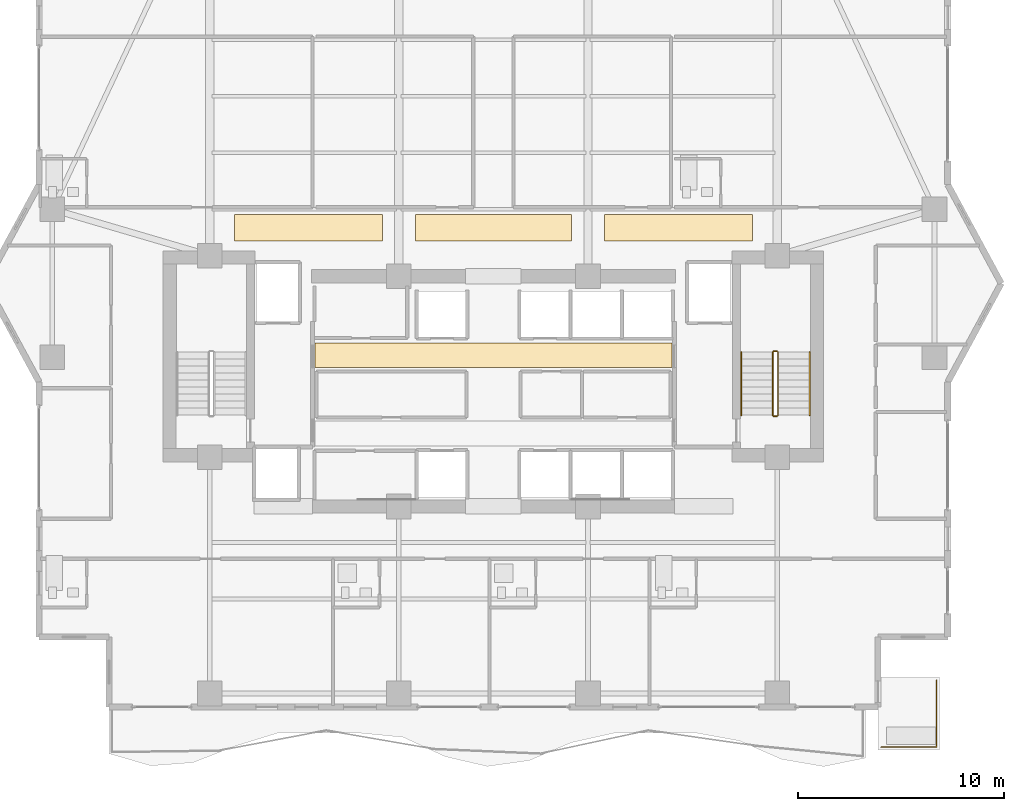
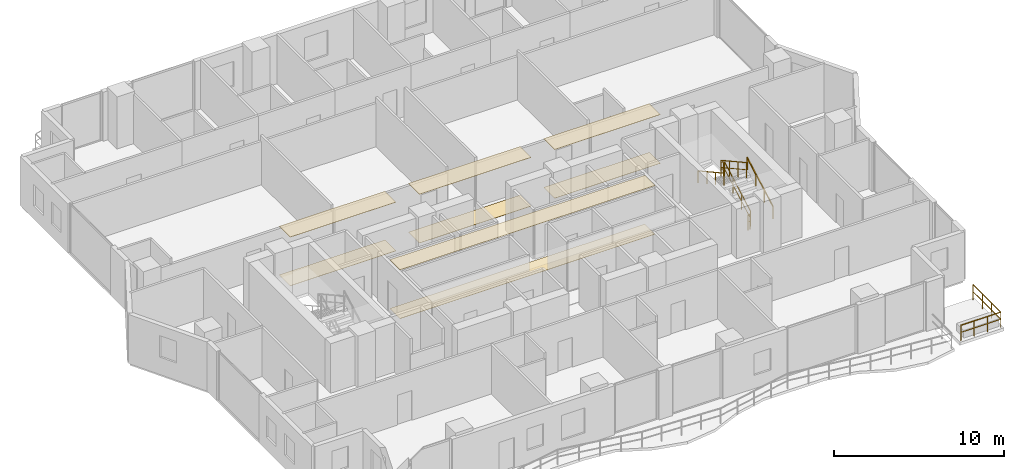
# One storey, part 31 of 33: 8 coverings, 7 railings.
"""IFC4 building model written with IfcOpenShell, lengths in metres."""

import ifcopenshell
import ifcopenshell.guid

model = None  # the IFC model being written
_history = None  # IfcOwnerHistory: only IFC2X3 demands one
_inside = {}  # id of a spatial element -> (the spatial element, [elements in it])
_under = {}  # id of a project, library or spatial element -> (it, [spatial elements below it])
_declared = {}  # id of a project -> (the project, [libraries it declares])
_typed = {}  # id of a type object -> (the type object, [elements of that type])
_made_of = {}  # id of a material, layer set ... -> (it, [elements and type objects made of it])


def new_model(schema):
    """Start an empty IFC model of exactly this schema.

    Asked for "IFC4X3", IfcOpenShell would pick the latest addendum, in which some entities
    have other attributes; the version numbers below select the first issue.
    IFC2X3 requires an IfcOwnerHistory on every rooted entity: one is made here for all.
    """
    global model, _history
    if schema == "IFC4X3":
        model = ifcopenshell.file(schema_version=(4, 3, 0, 0))
    else:
        model = ifcopenshell.file(schema=schema)
    _inside.clear()
    _under.clear()
    _declared.clear()
    _typed.clear()
    _made_of.clear()
    _history = None
    if model.schema == "IFC2X3":
        org = make("IfcOrganization", Name="unknown")
        user = make(
            "IfcPersonAndOrganization",
            ThePerson=make("IfcPerson", FamilyName="unknown"),
            TheOrganization=org,
        )
        app = make(
            "IfcApplication",
            ApplicationDeveloper=org,
            Version="unknown",
            ApplicationFullName="unknown",
            ApplicationIdentifier="unknown",
        )
        _history = make(
            "IfcOwnerHistory",
            OwningUser=user,
            OwningApplication=app,
            ChangeAction="ADDED",
            CreationDate=0,
        )
    return model


def make(cls, **values):
    """One entity of the class cls with the attributes given. An attribute that is None is left unset."""
    return model.create_entity(
        cls, **{name: value for name, value in values.items() if value is not None}
    )


def rooted(cls, **values):
    """An entity with a GlobalId (a new one), such as an element, a storey or a relation."""
    return make(cls, GlobalId=ifcopenshell.guid.new(), OwnerHistory=_history, **values)


def si_unit(unit_type, name, prefix=None):
    """IfcSIUnit, for example si_unit("LENGTHUNIT", "METRE", prefix="MILLI")."""
    return make("IfcSIUnit", UnitType=unit_type, Prefix=prefix, Name=name)


def assignment(units):
    """IfcUnitAssignment: the units of a project."""
    return None if units is None else make("IfcUnitAssignment", Units=units)


def point(xyz):
    """IfcCartesianPoint."""
    return None if xyz is None else make("IfcCartesianPoint", Coordinates=xyz)


def direction(xyz):
    """IfcDirection."""
    return None if xyz is None else make("IfcDirection", DirectionRatios=xyz)


def frame(location, z_axis=None, x_axis=None):
    """IfcAxis2Placement3D, a coordinate frame: its origin and axes. An axis left out is left unset."""
    return make(
        "IfcAxis2Placement3D",
        Location=point(location),
        Axis=direction(z_axis),
        RefDirection=direction(x_axis),
    )


def frame_2d(location, x_axis=None):
    """IfcAxis2Placement2D, a coordinate frame in the plane: its origin and x axis."""
    return make(
        "IfcAxis2Placement2D", Location=point(location), RefDirection=direction(x_axis)
    )


def origin():
    """The frame at (0, 0, 0) with its axes left unset."""
    return frame((0.0, 0.0, 0.0))


def origin_2d():
    """The frame at (0, 0) in the plane with its x axis left unset."""
    return frame_2d((0.0, 0.0))


def place(relative_to, where):
    """IfcLocalPlacement: puts the frame where relative to a parent placement (None: the world)."""
    return make(
        "IfcLocalPlacement", PlacementRelTo=relative_to, RelativePlacement=where
    )


def context(
    kind, dimensions, precision=None, world=None, true_north=None, identifier=None
):
    """IfcGeometricRepresentationContext, for example the 3D "Model" context."""
    return make(
        "IfcGeometricRepresentationContext",
        ContextIdentifier=identifier,
        ContextType=kind,
        CoordinateSpaceDimension=dimensions,
        Precision=precision,
        WorldCoordinateSystem=world,
        TrueNorth=true_north,
    )


def subcontext(parent, identifier, kind, view, scale=None):
    """IfcGeometricRepresentationSubContext, for example "Body" below "Model"."""
    return make(
        "IfcGeometricRepresentationSubContext",
        ContextIdentifier=identifier,
        ContextType=kind,
        ParentContext=parent,
        TargetScale=scale,
        TargetView=view,
    )


def project(units=None, contexts=None):
    """IfcProject with its units and contexts."""
    return rooted(
        "IfcProject",
        Name="project",
        RepresentationContexts=contexts,
        UnitsInContext=assignment(units),
    )


def spatial(cls, under=None, at=None, **own):
    """A site, building, storey or space (cls), placed at a placement, below another one or the project."""
    s = rooted(cls, ObjectPlacement=at, **own)
    if under is not None:
        _under.setdefault(under.id(), (under, []))[1].append(s)
    return s


def polyline(points):
    """IfcPolyline through the points."""
    return make("IfcPolyline", Points=[point(p) for p in points])


def profile(cls, at=None, kind="AREA", **sizes):
    """A parametric profile (cls). Its sizes go by their IFC names, for example OverallWidth=200.0."""
    return make(cls, ProfileType=kind, Position=at, **sizes)


def rectangle(**sizes):
    """IfcRectangleProfileDef."""
    return profile("IfcRectangleProfileDef", **sizes)


def outline(outer, holes=None, kind="AREA"):
    """IfcArbitraryClosedProfileDef: a profile drawn as a closed curve; with holes, ...WithVoids."""
    if holes is None:
        return make("IfcArbitraryClosedProfileDef", ProfileType=kind, OuterCurve=outer)
    return make(
        "IfcArbitraryProfileDefWithVoids",
        ProfileType=kind,
        OuterCurve=outer,
        InnerCurves=holes,
    )


def extrude(swept, where, along, depth):
    """IfcExtrudedAreaSolid: the profile swept, set in the frame where, extruded along a direction by depth."""
    return make(
        "IfcExtrudedAreaSolid",
        SweptArea=swept,
        Position=where,
        ExtrudedDirection=direction(along),
        Depth=depth,
    )


def shape(context_of_items, identifier, shape_type, items):
    """IfcShapeRepresentation: the items that make up one representation, for example the "Body"."""
    return make(
        "IfcShapeRepresentation",
        ContextOfItems=context_of_items,
        RepresentationIdentifier=identifier,
        RepresentationType=shape_type,
        Items=items,
    )


def material(Name=None, Category=None):
    """IfcMaterial."""
    return make("IfcMaterial", Name=Name, Category=Category)


def layer(
    of_material, thickness, ventilated=None, Name=None, Category=None, Priority=None
):
    """IfcMaterialLayer: one layer of a wall or slab, of a material (None: an air gap)."""
    return make(
        "IfcMaterialLayer",
        Material=of_material,
        LayerThickness=thickness,
        IsVentilated=ventilated,
        Name=Name,
        Category=Category,
        Priority=Priority,
    )


def layer_set(layers, Name=None):
    """IfcMaterialLayerSet."""
    return make("IfcMaterialLayerSet", MaterialLayers=layers, LayerSetName=Name)


def made_of(thing, what):
    """Note that an element or type object is made of a material, layer set ...; save() writes the relation."""
    if what is not None:
        _made_of.setdefault(what.id(), (what, []))[1].append(thing)
    return thing


def type_object(cls, material=None, **own):
    """A type object (cls), such as IfcWallType, which elements share."""
    return made_of(rooted(cls, **own), material)


def element(
    cls,
    number,
    at=None,
    inside=None,
    cuts=None,
    type_object=None,
    material=None,
    context=None,
    identifier="Body",
    shape_type=None,
    held_by="IfcProductDefinitionShape",
    body=None,
    shapes=None,
    **own,
):
    """One element of the class cls, such as IfcWall. Its Tag is "e" and its number.

    at: its placement. inside: the storey or other place that contains it. cuts: it is an
    opening in that element (IfcRelVoidsElement). A single representation is given by context,
    identifier, shape_type and body (its items); several are given by shapes. held_by: the class
    of the entity that holds the representations. save() writes the other relations.
    """
    e = rooted(cls, Tag="e%d" % number, ObjectPlacement=at, **own)
    if body is not None:
        shapes = [shape(context, identifier, shape_type, body)]
    if shapes is not None:
        e.Representation = make(held_by, Representations=shapes)
    if inside is not None:
        _inside.setdefault(inside.id(), (inside, []))[1].append(e)
    if cuts is not None:
        rooted(
            "IfcRelVoidsElement", RelatingBuildingElement=cuts, RelatedOpeningElement=e
        )
    if type_object is not None:
        _typed.setdefault(type_object.id(), (type_object, []))[1].append(e)
    return made_of(e, material)


def aggregate(whole, parts):
    """IfcRelAggregates: a whole, such as a stair, and the parts it consists of."""
    return rooted("IfcRelAggregates", RelatingObject=whole, RelatedObjects=parts)


def save(model, path):
    """Write the relations noted so far, then the file.

    IfcRelAggregates (storeys below a building ...), IfcRelContainedInSpatialStructure (elements
    in a storey), IfcRelDefinesByType, IfcRelAssociatesMaterial and IfcRelDeclares: one each for
    every whole, place, type object, material and project.
    """
    for whole, parts in _under.values():
        aggregate(whole, parts)
    for where, things in _inside.values():
        rooted(
            "IfcRelContainedInSpatialStructure",
            RelatedElements=things,
            RelatingStructure=where,
        )
    for kind, things in _typed.values():
        rooted("IfcRelDefinesByType", RelatedObjects=things, RelatingType=kind)
    for what, things in _made_of.values():
        rooted("IfcRelAssociatesMaterial", RelatedObjects=things, RelatingMaterial=what)
    for by, libraries in _declared.values():
        rooted("IfcRelDeclares", RelatingContext=by, RelatedDefinitions=libraries)
    model.write(path)


model = new_model("IFC4")

# Units and contexts
model_context = context("Model", 3, precision=1e-05, world=origin(), true_north=direction((0.0, 1.0)))
body_context = subcontext(model_context, "Body", "Model", "MODEL_VIEW")
ifc_project = project(units=[si_unit("LENGTHUNIT", "METRE"), si_unit("AREAUNIT", "SQUARE_METRE"), si_unit("VOLUMEUNIT", "CUBIC_METRE"), si_unit("PLANEANGLEUNIT", "RADIAN"), si_unit("MASSUNIT", "GRAM", prefix="KILO")], contexts=[model_context])

# Site, building, storey
site_placement = place(None, origin())
site = spatial("IfcSite", under=ifc_project, at=site_placement, CompositionType="ELEMENT")
building_placement = place(site_placement, origin())
building = spatial("IfcBuilding", under=site, at=building_placement, Name="Zuhayl Quay Hotel", CompositionType="ELEMENT")
storey_placement = place(building_placement, frame((0.0, 0.0, 199.89990234375)))
storey = spatial("IfcBuildingStorey", under=building, at=storey_placement, Name="L50", CompositionType="ELEMENT", Elevation=199.89990234375)

# Coverings
ifc_material_1 = material(Name="Acoustic Mineral-Fibre Gypsum Board")
ifc_layer_1 = layer(ifc_material_1, 0.02490234375, Name="Acoustic Mineral-Fibre Gypsum Board")
ifc_layer_set_1 = layer_set([ifc_layer_1], Name="Acoustic Mineral-Fibre Gypsum Board")
covering_type_1 = type_object("IfcCoveringType", Name="CV_CEIL_ACOUSTIC", PredefinedType="CEILING", material=ifc_layer_set_1)
covering_1_placement = place(storey_placement, frame((0.0, 0.0, 3.505126953125)))
element("IfcCovering", 1, at=covering_1_placement, inside=storey, type_object=covering_type_1, Name="L50 Suspended Acoustic Lobby Ceiling N", PredefinedType="CEILING", context=body_context, shape_type="SweptSolid", body=[
    extrude(outline(polyline([(-8.679931640625, 8.89990234375), (8.679931640625, 8.89990234375), (8.679931640625, 10.10009765625), (-8.679931640625, 10.10009765625), (-8.679931640625, 8.89990234375)])), origin(), (0.0, 0.0, 1.0), 0.02490234375),
])
covering_2_placement = place(storey_placement, frame((0.0, 0.0, 3.505126953125)))
element("IfcCovering", 2, at=covering_2_placement, inside=storey, type_object=covering_type_1, Name="L50 Guest Corridor Acoustic Ceiling CW", PredefinedType="CEILING", context=body_context, shape_type="SweptSolid", body=[
    extrude(outline(polyline([(-12.60009765625, 15.050048828125), (-5.39990234375, 15.050048828125), (-5.39990234375, 16.35009765625), (-12.60009765625, 16.35009765625), (-12.60009765625, 15.050048828125)])), origin(), (0.0, 0.0, 1.0), 0.02490234375),
])
covering_3_placement = place(storey_placement, frame((0.0, 0.0, 3.505126953125)))
element("IfcCovering", 3, at=covering_3_placement, inside=storey, type_object=covering_type_1, Name="L50 Guest Corridor Acoustic Ceiling CC", PredefinedType="CEILING", context=body_context, shape_type="SweptSolid", body=[
    extrude(outline(polyline([(-3.800048828125, 15.050048828125), (3.800048828125, 15.050048828125), (3.800048828125, 16.35009765625), (-3.800048828125, 16.35009765625), (-3.800048828125, 15.050048828125)])), origin(), (0.0, 0.0, 1.0), 0.02490234375),
])
covering_4_placement = place(storey_placement, frame((0.0, 0.0, 3.505126953125)))
element("IfcCovering", 4, at=covering_4_placement, inside=storey, type_object=covering_type_1, Name="L50 Guest Corridor Acoustic Ceiling CE", PredefinedType="CEILING", context=body_context, shape_type="SweptSolid", body=[
    extrude(outline(polyline([(5.39990234375, 15.050048828125), (12.60009765625, 15.050048828125), (12.60009765625, 16.35009765625), (5.39990234375, 16.35009765625), (5.39990234375, 15.050048828125)])), origin(), (0.0, 0.0, 1.0), 0.02490234375),
])
ifc_material_2 = material(Name="Polished Limestone Terrazzo", Category="masonry")
ifc_layer_2 = layer(ifc_material_2, 0.02001953125, Name="Polished Limestone Terrazzo", Category="masonry")
ifc_layer_set_2 = layer_set([ifc_layer_2], Name="Polished Limestone Terrazzo")
covering_type_2 = type_object("IfcCoveringType", Name="CV_FLOOR_TERRAZZO", PredefinedType="FLOORING", material=ifc_layer_set_2)
covering_5_placement = place(storey_placement, origin())
element("IfcCovering", 5, at=covering_5_placement, inside=storey, type_object=covering_type_2, Name="L50 Honed Limestone Terrazzo Lobby Flooring N", PredefinedType="FLOORING", context=body_context, shape_type="SweptSolid", body=[
    extrude(outline(polyline([(-8.679931640625, 8.89990234375), (8.679931640625, 8.89990234375), (8.679931640625, 10.10009765625), (-8.679931640625, 10.10009765625), (-8.679931640625, 8.89990234375)])), origin(), (0.0, 0.0, 1.0), 0.02001953125),
])
covering_6_placement = place(storey_placement, origin())
element("IfcCovering", 6, at=covering_6_placement, inside=storey, type_object=covering_type_2, Name="L50 Guest Corridor Terrazzo Runner CW", PredefinedType="FLOORING", context=body_context, shape_type="SweptSolid", body=[
    extrude(outline(polyline([(-12.60009765625, 15.050048828125), (-5.39990234375, 15.050048828125), (-5.39990234375, 16.35009765625), (-12.60009765625, 16.35009765625), (-12.60009765625, 15.050048828125)])), origin(), (0.0, 0.0, 1.0), 0.02001953125),
])
covering_7_placement = place(storey_placement, origin())
element("IfcCovering", 7, at=covering_7_placement, inside=storey, type_object=covering_type_2, Name="L50 Guest Corridor Terrazzo Runner CC", PredefinedType="FLOORING", context=body_context, shape_type="SweptSolid", body=[
    extrude(outline(polyline([(-3.800048828125, 15.050048828125), (3.800048828125, 15.050048828125), (3.800048828125, 16.35009765625), (-3.800048828125, 16.35009765625), (-3.800048828125, 15.050048828125)])), origin(), (0.0, 0.0, 1.0), 0.02001953125),
])
covering_8_placement = place(storey_placement, origin())
element("IfcCovering", 8, at=covering_8_placement, inside=storey, type_object=covering_type_2, Name="L50 Guest Corridor Terrazzo Runner CE", PredefinedType="FLOORING", context=body_context, shape_type="SweptSolid", body=[
    extrude(outline(polyline([(5.39990234375, 15.050048828125), (12.60009765625, 15.050048828125), (12.60009765625, 16.35009765625), (5.39990234375, 16.35009765625), (5.39990234375, 15.050048828125)])), origin(), (0.0, 0.0, 1.0), 0.02001953125),
])

# Railings
ifc_material_3 = material(Name="Anodised Aluminium and Laminated Glass", Category="aluminium")
railing_type_1 = type_object("IfcRailingType", Name="RL_EXT_BAL_1100", PredefinedType="BALUSTRADE", material=ifc_material_3)
railing_1_placement = place(storey_placement, frame((18.840087890625, -9.56005859375, 0.0)))
element("IfcRailing", 9, at=railing_1_placement, inside=storey, type_object=railing_type_1, Name="L50 Balcony and Terrace Guard GR_L50_SPIRAL_SE", PredefinedType="BALUSTRADE", context=body_context, shape_type="SweptSolid", body=[
    extrude(rectangle(XDim=0.048095703125, YDim=0.048095703125, at=origin_2d()), frame((0.0, 0.0, 1.09619140625), z_axis=(1.0, 0.0, 0.0), x_axis=(0.0, 1.0, 0.0)), (0.0, 0.0, 1.0), 2.719970703125),
    extrude(rectangle(XDim=0.0361328125, YDim=0.0361328125, at=origin_2d()), frame((0.0, 0.0, 0.58251953125), z_axis=(1.0, 0.0, 0.0), x_axis=(0.0, 1.0, 0.0)), (0.0, 0.0, 1.0), 2.719970703125),
    extrude(rectangle(XDim=0.048095703125, YDim=0.048095703125, at=origin_2d()), frame((2.719970703125, 0.0, 1.09619140625), z_axis=(0.0, 1.0, 0.0), x_axis=(-1.0, 0.0, 0.0)), (0.0, 0.0, 1.0), 3.27001953125),
    extrude(rectangle(XDim=0.0361328125, YDim=0.0361328125, at=origin_2d()), frame((2.719970703125, 0.0, 0.58251953125), z_axis=(0.0, 1.0, 0.0), x_axis=(-1.0, 0.0, 0.0)), (0.0, 0.0, 1.0), 3.27001953125),
    extrude(rectangle(XDim=0.0419921875, YDim=0.0419921875, at=origin_2d()), origin(), (0.0, 0.0, 1.0), 1.072021484375),
    extrude(rectangle(XDim=0.0419921875, YDim=0.0419921875, at=origin_2d()), frame((0.90673828125, 0.0, 0.0)), (0.0, 0.0, 1.0), 1.072021484375),
    extrude(rectangle(XDim=0.0419921875, YDim=0.0419921875, at=origin_2d()), frame((1.813232421875, 0.0, 0.0)), (0.0, 0.0, 1.0), 1.072021484375),
    extrude(rectangle(XDim=0.0419921875, YDim=0.0419921875, at=origin_2d()), frame((2.719970703125, 0.0, 0.0)), (0.0, 0.0, 1.0), 1.072021484375),
    extrude(rectangle(XDim=0.0419921875, YDim=0.0419921875, at=origin_2d()), frame((2.719970703125, 1.090087890625, 0.0)), (0.0, 0.0, 1.0), 1.072021484375),
    extrude(rectangle(XDim=0.0419921875, YDim=0.0419921875, at=origin_2d()), frame((2.719970703125, 2.179931640625, 0.0)), (0.0, 0.0, 1.0), 1.072021484375),
    extrude(rectangle(XDim=0.0419921875, YDim=0.0419921875, at=origin_2d()), frame((2.719970703125, 3.27001953125, 0.0)), (0.0, 0.0, 1.0), 1.072021484375),
])
ifc_material_4 = material(Name="Steel ASTM A992 Grade 50", Category="steel")
railing_type_2 = type_object("IfcRailingType", Name="RL_GUARD_1100", PredefinedType="GUARDRAIL", material=ifc_material_4)
railing_2_placement = place(storey_placement, frame((13.840087890625, 6.590087890625, 0.1875)))
element("IfcRailing", 10, at=railing_2_placement, inside=storey, type_object=railing_type_2, Name="L50 ST2 stair guard 1", PredefinedType="GUARDRAIL", context=body_context, shape_type="SweptSolid", body=[
    extrude(rectangle(XDim=0.048095703125, YDim=0.048095703125, at=origin_2d()), frame((0.0, 0.0, 1.09619140625), z_axis=(0.0, 0.875659195171, 0.482929574485), x_axis=(-1.0, 0.0, 0.0)), (0.0, 0.0, 1.0), 3.494384765625),
    extrude(rectangle(XDim=0.0361328125, YDim=0.0361328125, at=origin_2d()), frame((0.0, 0.0, 0.58251953125), z_axis=(0.0, 0.875659195171, 0.482929574485), x_axis=(-1.0, 0.0, 0.0)), (0.0, 0.0, 1.0), 3.494384765625),
    extrude(rectangle(XDim=0.0419921875, YDim=0.0419921875, at=origin_2d()), origin(), (0.0, 0.0, 1.0), 1.072021484375),
    extrude(rectangle(XDim=0.0419921875, YDim=0.0419921875, at=origin_2d()), frame((0.0, 1.02001953125, 0.5625)), (0.0, 0.0, 1.0), 1.072021484375),
    extrude(rectangle(XDim=0.0419921875, YDim=0.0419921875, at=origin_2d()), frame((0.0, 2.039794921875, 1.125)), (0.0, 0.0, 1.0), 1.072021484375),
    extrude(rectangle(XDim=0.0419921875, YDim=0.0419921875, at=origin_2d()), frame((0.0, 3.059814453125, 1.6875)), (0.0, 0.0, 1.0), 1.072021484375),
])
railing_3_placement = place(storey_placement, frame((13.7900390625, 9.699951171875, 1.875)))
element("IfcRailing", 11, at=railing_3_placement, inside=storey, type_object=railing_type_2, Name="L50 ST2 stair guard 2", PredefinedType="GUARDRAIL", context=body_context, shape_type="SweptSolid", body=[
    extrude(rectangle(XDim=0.048095703125, YDim=0.048095703125, at=origin_2d()), frame((0.0, 0.0, 1.09619140625), z_axis=(-1.0, 0.0, 0.0), x_axis=(0.0, -1.0, 0.0)), (0.0, 0.0, 1.0), 0.150146484375),
    extrude(rectangle(XDim=0.0361328125, YDim=0.0361328125, at=origin_2d()), frame((0.0, 0.0, 0.58251953125), z_axis=(-1.0, 0.0, 0.0), x_axis=(0.0, -1.0, 0.0)), (0.0, 0.0, 1.0), 0.150146484375),
    extrude(rectangle(XDim=0.0419921875, YDim=0.0419921875, at=origin_2d()), origin(), (0.0, 0.0, 1.0), 1.072021484375),
    extrude(rectangle(XDim=0.0419921875, YDim=0.0419921875, at=origin_2d()), frame((-0.150146484375, 0.0, 0.0)), (0.0, 0.0, 1.0), 1.072021484375),
])
railing_4_placement = place(storey_placement, frame((13.590087890625, 9.64990234375, 2.0625)))
element("IfcRailing", 12, at=railing_4_placement, inside=storey, type_object=railing_type_2, Name="L50 ST2 stair guard 3", PredefinedType="GUARDRAIL", context=body_context, shape_type="SweptSolid", body=[
    extrude(rectangle(XDim=0.048095703125, YDim=0.048095703125, at=origin_2d()), frame((0.0, 0.0, 1.09619140625), z_axis=(0.0, -0.875659195171, 0.482929574485), x_axis=(1.0, 0.0, 0.0)), (0.0, 0.0, 1.0), 3.494384765625),
    extrude(rectangle(XDim=0.0361328125, YDim=0.0361328125, at=origin_2d()), frame((0.0, 0.0, 0.58251953125), z_axis=(0.0, -0.875659195171, 0.482929574485), x_axis=(1.0, 0.0, 0.0)), (0.0, 0.0, 1.0), 3.494384765625),
    extrude(rectangle(XDim=0.0419921875, YDim=0.0419921875, at=origin_2d()), origin(), (0.0, 0.0, 1.0), 1.072021484375),
    extrude(rectangle(XDim=0.0419921875, YDim=0.0419921875, at=origin_2d()), frame((0.0, -1.02001953125, 0.5625)), (0.0, 0.0, 1.0), 1.072021484375),
    extrude(rectangle(XDim=0.0419921875, YDim=0.0419921875, at=origin_2d()), frame((0.0, -2.039794921875, 1.125)), (0.0, 0.0, 1.0), 1.072021484375),
    extrude(rectangle(XDim=0.0419921875, YDim=0.0419921875, at=origin_2d()), frame((0.0, -3.059814453125, 1.6875)), (0.0, 0.0, 1.0), 1.072021484375),
])
railing_5_placement = place(storey_placement, frame((13.7900390625, 6.5400390625, 0.0)))
element("IfcRailing", 13, at=railing_5_placement, inside=storey, type_object=railing_type_2, Name="L50 ST2 stair guard 4", PredefinedType="GUARDRAIL", context=body_context, shape_type="SweptSolid", body=[
    extrude(rectangle(XDim=0.048095703125, YDim=0.048095703125, at=origin_2d()), frame((0.0, 0.0, 1.09619140625), z_axis=(-1.0, 0.0, 0.0), x_axis=(0.0, -1.0, 0.0)), (0.0, 0.0, 1.0), 0.150146484375),
    extrude(rectangle(XDim=0.0361328125, YDim=0.0361328125, at=origin_2d()), frame((0.0, 0.0, 0.58251953125), z_axis=(-1.0, 0.0, 0.0), x_axis=(0.0, -1.0, 0.0)), (0.0, 0.0, 1.0), 0.150146484375),
    extrude(rectangle(XDim=0.0419921875, YDim=0.0419921875, at=origin_2d()), origin(), (0.0, 0.0, 1.0), 1.072021484375),
    extrude(rectangle(XDim=0.0419921875, YDim=0.0419921875, at=origin_2d()), frame((-0.150146484375, 0.0, 0.0)), (0.0, 0.0, 1.0), 1.072021484375),
])
railing_type_3 = type_object("IfcRailingType", Name="RL_HANDRAIL_920", PredefinedType="HANDRAIL", material=ifc_material_4)
railing_6_placement = place(storey_placement, frame((15.3798828125, 6.590087890625, 0.1875)))
element("IfcRailing", 14, at=railing_6_placement, inside=storey, type_object=railing_type_3, Name="L50 ST2 stair handrail 1", PredefinedType="HANDRAIL", context=body_context, shape_type="SweptSolid", body=[
    extrude(rectangle(XDim=0.048095703125, YDim=0.048095703125, at=origin_2d()), frame((0.0, 0.0, 0.8759765625), z_axis=(0.0, 0.875659195171, 0.482929574485), x_axis=(-1.0, 0.0, 0.0)), (0.0, 0.0, 1.0), 3.494384765625),
    extrude(rectangle(XDim=0.0419921875, YDim=0.0419921875, at=origin_2d()), origin(), (0.0, 0.0, 1.0), 0.851806640625),
    extrude(rectangle(XDim=0.0419921875, YDim=0.0419921875, at=origin_2d()), frame((0.0, 1.02001953125, 0.5625)), (0.0, 0.0, 1.0), 0.851806640625),
    extrude(rectangle(XDim=0.0419921875, YDim=0.0419921875, at=origin_2d()), frame((0.0, 2.039794921875, 1.125)), (0.0, 0.0, 1.0), 0.851806640625),
    extrude(rectangle(XDim=0.0419921875, YDim=0.0419921875, at=origin_2d()), frame((0.0, 3.059814453125, 1.6875)), (0.0, 0.0, 1.0), 0.851806640625),
])
railing_7_placement = place(storey_placement, frame((12.050048828125, 9.64990234375, 2.0625)))
element("IfcRailing", 15, at=railing_7_placement, inside=storey, type_object=railing_type_3, Name="L50 ST2 stair handrail 2", PredefinedType="HANDRAIL", context=body_context, shape_type="SweptSolid", body=[
    extrude(rectangle(XDim=0.048095703125, YDim=0.048095703125, at=origin_2d()), frame((0.0, 0.0, 0.8759765625), z_axis=(0.0, -0.875659195171, 0.482929574485), x_axis=(1.0, 0.0, 0.0)), (0.0, 0.0, 1.0), 3.494384765625),
    extrude(rectangle(XDim=0.0419921875, YDim=0.0419921875, at=origin_2d()), origin(), (0.0, 0.0, 1.0), 0.851806640625),
    extrude(rectangle(XDim=0.0419921875, YDim=0.0419921875, at=origin_2d()), frame((0.0, -1.02001953125, 0.5625)), (0.0, 0.0, 1.0), 0.851806640625),
    extrude(rectangle(XDim=0.0419921875, YDim=0.0419921875, at=origin_2d()), frame((0.0, -2.039794921875, 1.125)), (0.0, 0.0, 1.0), 0.851806640625),
    extrude(rectangle(XDim=0.0419921875, YDim=0.0419921875, at=origin_2d()), frame((0.0, -3.059814453125, 1.6875)), (0.0, 0.0, 1.0), 0.851806640625),
])

save(model, "model.ifc")
